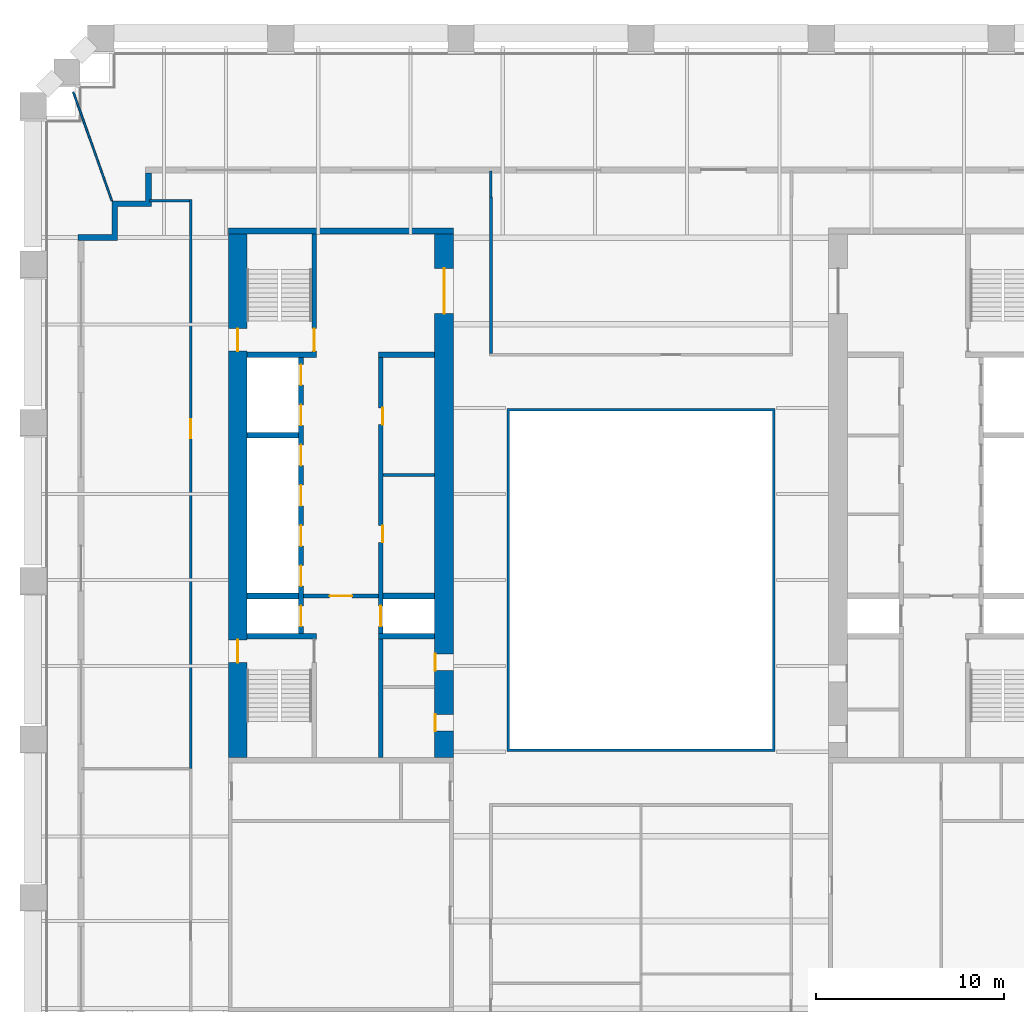
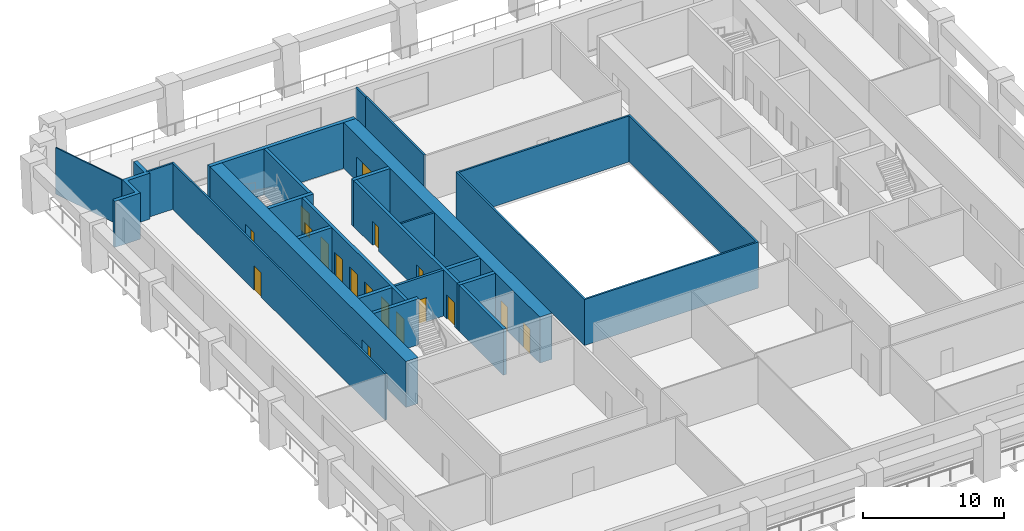
# One storey, part 5 of 8: 22 walls, 18 doors, 18 openings.
"""IFC4 building model written with IfcOpenShell, lengths in metres."""

from ifc_helpers import new_model, si_unit, direction, frame, frame_2d, origin, place, context, subcontext, project, spatial, polyline, rectangle, outline, extrude, material, layer, layer_set, type_object, element, fill, save


model = new_model("IFC4")

# Units and contexts
model_context = context("Model", 3, precision=1e-05, world=origin(), true_north=direction((0.0, 1.0)))
body_context = subcontext(model_context, "Body", "Model", "MODEL_VIEW")
ifc_project = project(units=[si_unit("LENGTHUNIT", "METRE"), si_unit("AREAUNIT", "SQUARE_METRE"), si_unit("VOLUMEUNIT", "CUBIC_METRE"), si_unit("PLANEANGLEUNIT", "RADIAN"), si_unit("MASSUNIT", "GRAM", prefix="KILO")], contexts=[model_context])

# Site, building, storey
site_placement = place(None, origin())
site = spatial("IfcSite", under=ifc_project, at=site_placement, CompositionType="ELEMENT")
building_placement = place(site_placement, origin())
building = spatial("IfcBuilding", under=site, at=building_placement, Name="Ogive Exchange Tower", CompositionType="ELEMENT")
storey_placement = place(building_placement, frame((0.0, 0.0, 81.60009765625)))
storey = spatial("IfcBuildingStorey", under=building, at=storey_placement, Name="L17", CompositionType="ELEMENT", Elevation=81.60009765625)

# Walls
ifc_material_1 = material(Name="Gypsum board partition")
ifc_layer_1 = layer(ifc_material_1, 0.14990234375)
ifc_layer_set_1 = layer_set([ifc_layer_1], Name="Core room partition 150 gypsum")
wall_type_1 = type_object("IfcWallType", Name="Core room partition 150 gypsum", PredefinedType="PARTITIONING", material=ifc_layer_set_1)
wall_1_placement = place(storey_placement, frame((-13.75, 12.60009765625, 0.0), z_axis=(0.0, 0.0, 1.0), x_axis=(1.0, 0.0, 0.0)))
element("IfcWall", 1, at=wall_1_placement, inside=storey, type_object=wall_type_1, Name="W row B bay partition 1-1", PredefinedType="PARTITIONING", context=body_context, shape_type="SweptSolid", body=[
    extrude(rectangle(XDim=2.75, YDim=0.14990234375, at=frame_2d((1.375, 0.0))), origin(), (0.0, 0.0, 1.0), 4.0),
])
ifc_layer_2 = layer(ifc_material_1, 0.300048828125)
ifc_layer_set_2 = layer_set([ifc_layer_2], Name="Core room partition 300 gypsum")
wall_type_2 = type_object("IfcWallType", Name="Core room partition 300 gypsum", PredefinedType="PARTITIONING", material=ifc_layer_set_2)
wall_2_placement = place(storey_placement, frame((-14.0, 19.0, 0.0), z_axis=(0.0, 0.0, 1.0), x_axis=(1.0, 0.0, 0.0)))
element("IfcWall", 2, at=wall_2_placement, inside=storey, type_object=wall_type_2, Name="W row B room end wall 7", PredefinedType="PARTITIONING", context=body_context, shape_type="SweptSolid", body=[
    extrude(rectangle(XDim=3.0, YDim=0.300048828125, at=frame_2d((1.5, 0.0))), origin(), (0.0, 0.0, 1.0), 4.0),
])

# Wall, opening, door
ifc_material_2 = material(Name="Fire partition EI 60 150")
ifc_layer_3 = layer(ifc_material_2, 0.14990234375)
ifc_layer_set_3 = layer_set([ifc_layer_3], Name="Fire partition EI 60 150")
wall_type_3 = type_object("IfcWallType", Name="Fire partition EI 60 150", PredefinedType="PARTITIONING", material=ifc_layer_set_3)
wall_3_placement = place(storey_placement, frame((-24.0, -3.06005859375, 0.0), z_axis=(0.0, 0.0, 1.0), x_axis=(0.0, 1.0, 0.0)))
wall_3 = element("IfcWall", 3, at=wall_3_placement, inside=storey, type_object=wall_type_3, Name="L17-PWL-005", PredefinedType="PARTITIONING", context=body_context, shape_type="SweptSolid", body=[
    extrude(rectangle(XDim=30.344970703125, YDim=0.14990234375, at=frame_2d((15.17236328125, 0.0))), origin(), (0.0, 0.0, 1.0), 4.0),
])
opening_1_placement = place(wall_3_placement, frame((17.6201171875, 0.0, 0.0)))
opening_1 = element("IfcOpeningElement", 4, at=opening_1_placement, cuts=wall_3, Name="Opening L17-I10", PredefinedType="OPENING", context=body_context, shape_type="SweptSolid", body=[
    extrude(rectangle(XDim=1.0, YDim=2.10009765625, at=frame_2d((0.5, 1.050048828125))), frame((0.0, 0.0849609375, 0.0), z_axis=(0.0, -1.0, 0.0), x_axis=(1.0, 0.0, 0.0)), (0.0, 0.0, 1.0), 0.169921875),
])
ifc_material_3 = material(Name="Fire door FD 30S 1000 x 2100")
door_type_1 = type_object("IfcDoorType", Name="Fire door FD 30S 1000 x 2100", OperationType="NOTDEFINED", PredefinedType="DOOR", material=ifc_material_3)
door_1_placement = place(opening_1_placement, origin())
door_1 = element("IfcDoor", 5, at=door_1_placement, inside=storey, type_object=door_type_1, Name="L17-IDR-010", ObjectType="DT3", OperationType="SINGLE_SWING_LEFT", OverallHeight=2.10009765625, OverallWidth=1.0, PredefinedType="DOOR", context=body_context, shape_type="SweptSolid", body=[
    extrude(rectangle(XDim=1.0, YDim=2.10009765625, at=frame_2d((0.5, 1.050048828125))), frame((0.0, 0.02490234375, 0.0), z_axis=(0.0, -1.0, 0.0), x_axis=(1.0, 0.0, 0.0)), (0.0, 0.0, 1.0), 0.050048828125),
])
fill(opening_1, door_1)

# Walls
wall_4_placement = place(storey_placement, frame((-24.074951171875, 27.2099609375, 0.0), z_axis=(0.0, 0.0, 1.0), x_axis=(-1.0, 0.0, 0.0)))
element("IfcWall", 6, at=wall_4_placement, inside=storey, type_object=wall_type_3, Name="L17-PWL-006", PredefinedType="PARTITIONING", context=body_context, shape_type="SweptSolid", body=[
    extrude(rectangle(XDim=2.125, YDim=0.14990234375, at=frame_2d((1.0625, 0.0))), origin(), (0.0, 0.0, 1.0), 4.0),
])
wall_5_placement = place(storey_placement, frame((-8.010009765625, 28.800048828125, 0.0), z_axis=(0.0, 0.0, 1.0), x_axis=(0.0, -1.0, 0.0)))
element("IfcWall", 7, at=wall_5_placement, inside=storey, type_object=wall_type_3, Name="L17-PWL-009", PredefinedType="PARTITIONING", context=body_context, shape_type="SweptSolid", body=[
    extrude(rectangle(XDim=1.400146484375, YDim=0.14990234375, at=frame_2d((0.7001953125, 0.0))), origin(), (0.0, 0.0, 1.0), 4.0),
])
wall_6_placement = place(storey_placement, frame((-8.0, 27.39990234375, 0.0), z_axis=(0.0, 0.0, 1.0), x_axis=(0.0, -1.0, 0.0)))
element("IfcWall", 8, at=wall_6_placement, inside=storey, type_object=wall_type_3, Name="L17-PWL-014", PredefinedType="PARTITIONING", context=body_context, shape_type="SweptSolid", body=[
    extrude(rectangle(XDim=8.324951171875, YDim=0.14990234375, at=frame_2d((4.16259765625, 0.0))), origin(), (0.0, 0.0, 1.0), 4.0),
])
ifc_material_4 = material(Name="Fire-resisting glass in steel frame", Category="steel")
ifc_layer_4 = layer(ifc_material_4, 0.14990234375)
ifc_layer_set_4 = layer_set([ifc_layer_4], Name="Fire-rated glazed wall 150")
wall_type_4 = type_object("IfcWallType", Name="Fire-rated glazed wall 150", PredefinedType="STANDARD", material=ifc_layer_set_4)
wall_7_placement = place(storey_placement, origin())
element("IfcWall", 9, at=wall_7_placement, inside=storey, type_object=wall_type_4, Name="Nave enclosure wall", PredefinedType="STANDARD", context=body_context, shape_type="SweptSolid", body=[
    extrude(outline(polyline([(-7.14990234375, -2.14990234375), (7.14990234375, -2.14990234375), (7.14990234375, 16.14990234375), (-7.14990234375, 16.14990234375), (-7.14990234375, -2.14990234375)]), holes=[polyline([(-7.0, -2.0), (-7.0, 16.0), (7.0, 16.0), (7.0, -2.0), (-7.0, -2.0)])]), origin(), (0.0, 0.0, 1.0), 4.0),
])
ifc_material_5 = material(Name="Precast concrete C40/50", Category="concrete")
ifc_layer_5 = layer(ifc_material_5, 0.300048828125)
ifc_layer_set_5 = layer_set([ifc_layer_5], Name="Limestone-faced wall 300")
wall_type_5 = type_object("IfcWallType", Name="Limestone-faced wall 300", PredefinedType="STANDARD", material=ifc_layer_set_5)
wall_8_placement = place(storey_placement, origin())
element("IfcWall", 10, at=wall_8_placement, inside=storey, type_object=wall_type_5, Name="External corner wall C3", PredefinedType="STANDARD", context=body_context, shape_type="SweptSolid", body=[
    extrude(outline(polyline([(-28.199951171875, 25.39990234375), (-28.199951171875, 27.199951171875), (-26.39990234375, 27.199951171875), (-26.39990234375, 28.699951171875), (-26.10009765625, 28.699951171875), (-26.10009765625, 26.89990234375), (-27.89990234375, 26.89990234375), (-27.89990234375, 25.10009765625), (-30.0, 25.10009765625), (-30.0, 25.39990234375), (-28.199951171875, 25.39990234375)])), origin(), (0.0, 0.0, 1.0), 4.0),
])
ifc_material_6 = material(Name="Laminated safety glass in steel frame", Category="steel")
ifc_layer_6 = layer(ifc_material_6, 0.10009765625)
ifc_layer_set_6 = layer_set([ifc_layer_6], Name="Loggia end screen 100")
wall_type_6 = type_object("IfcWallType", Name="Loggia end screen 100", PredefinedType="STANDARD", material=ifc_layer_set_6)
wall_9_placement = place(storey_placement, frame((-28.199951171875, 27.199951171875, -0.050048828125), z_axis=(0.0, 0.0, 1.0), x_axis=(-0.334412113697, 0.942426940517, 0.0)))
element("IfcWall", 11, at=wall_9_placement, inside=storey, type_object=wall_type_6, Name="Loggia end screen C3", PredefinedType="STANDARD", context=body_context, shape_type="SweptSolid", body=[
    extrude(rectangle(XDim=6.166748046875, YDim=0.10009765625, at=frame_2d((3.08349609375, 0.0))), origin(), (0.0, 0.0, 1.0), 4.050048828125),
])

# Wall, openings, doors
ifc_material_7 = material(Name="Concrete C70/85", Category="concrete")
ifc_layer_7 = layer(ifc_material_7, 1.0)
ifc_layer_set_7 = layer_set([ifc_layer_7], Name="RC core wall 1000 C70/85")
wall_type_7 = type_object("IfcWallType", Name="RC core wall 1000 C70/85", PredefinedType="SHEAR", material=ifc_layer_set_7)
wall_10_placement = place(storey_placement, frame((-21.5, -2.449951171875, 0.0), z_axis=(0.0, 0.0, 1.0), x_axis=(0.0, 1.0, 0.0)))
wall_10 = element("IfcWall", 12, at=wall_10_placement, inside=storey, type_object=wall_type_7, Name="W outer wall", PredefinedType="SHEAR", context=body_context, shape_type="SweptSolid", body=[
    extrude(rectangle(XDim=27.89990234375, YDim=1.0, at=frame_2d((13.949951171875, 0.0))), origin(), (0.0, 0.0, 1.0), 4.0),
])
opening_2_placement = place(wall_10_placement, frame((5.050048828125, 0.0, 0.0)))
opening_2 = element("IfcOpeningElement", 13, at=opening_2_placement, cuts=wall_10, Name="Opening L17-C14", PredefinedType="OPENING", context=body_context, shape_type="SweptSolid", body=[
    extrude(rectangle(XDim=1.199951171875, YDim=2.10009765625, at=frame_2d((0.60009765625, 1.050048828125))), frame((0.0, 0.510009765625, 0.0), z_axis=(0.0, -1.0, 0.0), x_axis=(1.0, 0.0, 0.0)), (0.0, 0.0, 1.0), 1.02001953125),
])
opening_3_placement = place(wall_10_placement, frame((21.64990234375, 0.0, 0.0)))
opening_3 = element("IfcOpeningElement", 14, at=opening_3_placement, cuts=wall_10, Name="Opening L17-C16", PredefinedType="OPENING", context=body_context, shape_type="SweptSolid", body=[
    extrude(rectangle(XDim=1.199951171875, YDim=2.10009765625, at=frame_2d((0.60009765625, 1.050048828125))), frame((0.0, 0.510009765625, 0.0), z_axis=(0.0, -1.0, 0.0), x_axis=(1.0, 0.0, 0.0)), (0.0, 0.0, 1.0), 1.02001953125),
])
ifc_material_8 = material(Name="Steel fire door", Category="steel")
door_type_2 = type_object("IfcDoorType", Name="Stair door FD90 1200 x 2100", OperationType="NOTDEFINED", PredefinedType="DOOR", material=ifc_material_8)
door_2_placement = place(opening_2_placement, frame((1.199951171875, 0.0, 0.0), z_axis=(0.0, 0.0, 1.0), x_axis=(-1.0, 0.0, 0.0)))
door_2 = element("IfcDoor", 15, at=door_2_placement, inside=storey, type_object=door_type_2, Name="Stair door", ObjectType="CD5", OperationType="SINGLE_SWING_RIGHT", OverallHeight=2.10009765625, OverallWidth=1.199951171875, PredefinedType="DOOR", context=body_context, shape_type="SweptSolid", body=[
    extrude(rectangle(XDim=1.199951171875, YDim=2.10009765625, at=frame_2d((0.60009765625, 1.050048828125))), frame((0.0, 0.02490234375, 0.0), z_axis=(0.0, -1.0, 0.0), x_axis=(1.0, 0.0, 0.0)), (0.0, 0.0, 1.0), 0.050048828125),
])
fill(opening_2, door_2)
door_3_placement = place(opening_3_placement, frame((1.199951171875, 0.0, 0.0), z_axis=(0.0, 0.0, 1.0), x_axis=(-1.0, 0.0, 0.0)))
door_3 = element("IfcDoor", 16, at=door_3_placement, inside=storey, type_object=door_type_2, Name="Stair door", ObjectType="CD5", OperationType="SINGLE_SWING_LEFT", OverallHeight=2.10009765625, OverallWidth=1.199951171875, PredefinedType="DOOR", context=body_context, shape_type="SweptSolid", body=[
    extrude(rectangle(XDim=1.199951171875, YDim=2.10009765625, at=frame_2d((0.60009765625, 1.050048828125))), frame((0.0, 0.02490234375, 0.0), z_axis=(0.0, -1.0, 0.0), x_axis=(1.0, 0.0, 0.0)), (0.0, 0.0, 1.0), 0.050048828125),
])
fill(opening_3, door_3)

wall_11_placement = place(storey_placement, frame((-10.5, -2.449951171875, 0.0), z_axis=(0.0, 0.0, 1.0), x_axis=(0.0, 1.0, 0.0)))
wall_11 = element("IfcWall", 17, at=wall_11_placement, inside=storey, type_object=wall_type_7, Name="W inner wall", PredefinedType="SHEAR", context=body_context, shape_type="SweptSolid", body=[
    extrude(rectangle(XDim=27.89990234375, YDim=1.0, at=frame_2d((13.949951171875, 0.0))), origin(), (0.0, 0.0, 1.0), 4.0),
])
opening_4_placement = place(wall_11_placement, frame((23.64990234375, 0.0, 0.0)))
opening_4 = element("IfcOpeningElement", 18, at=opening_4_placement, cuts=wall_11, Name="Opening L17-C12", PredefinedType="OPENING", context=body_context, shape_type="SweptSolid", body=[
    extrude(rectangle(XDim=2.39990234375, YDim=2.10009765625, at=frame_2d((1.199951171875, 1.050048828125))), frame((0.0, 0.510009765625, 0.0), z_axis=(0.0, -1.0, 0.0), x_axis=(1.0, 0.0, 0.0)), (0.0, 0.0, 1.0), 1.02001953125),
])
opening_5_placement = place(wall_11_placement, frame((1.387451171875, 0.0, 0.0)))
opening_5 = element("IfcOpeningElement", 19, at=opening_5_placement, cuts=wall_11, Name="Opening L17-C17", PredefinedType="OPENING", context=body_context, shape_type="SweptSolid", body=[
    extrude(rectangle(XDim=0.89990234375, YDim=2.10009765625, at=frame_2d((0.449951171875, 1.050048828125))), frame((0.0, 0.510009765625, 0.0), z_axis=(0.0, -1.0, 0.0), x_axis=(1.0, 0.0, 0.0)), (0.0, 0.0, 1.0), 1.02001953125),
])
opening_6_placement = place(wall_11_placement, frame((4.612548828125, 0.0, 0.0)))
opening_6 = element("IfcOpeningElement", 20, at=opening_6_placement, cuts=wall_11, Name="Opening L17-C18", PredefinedType="OPENING", context=body_context, shape_type="SweptSolid", body=[
    extrude(rectangle(XDim=0.89990234375, YDim=2.10009765625, at=frame_2d((0.449951171875, 1.050048828125))), frame((0.0, 0.510009765625, 0.0), z_axis=(0.0, -1.0, 0.0), x_axis=(1.0, 0.0, 0.0)), (0.0, 0.0, 1.0), 1.02001953125),
])
ifc_material_9 = material(Name="Timber fire door", Category="wood")
door_type_3 = type_object("IfcDoorType", Name="Core room door FD30S 900 x 2100", OperationType="NOTDEFINED", PredefinedType="DOOR", material=ifc_material_9)
door_4_placement = place(opening_5_placement, origin())
door_4 = element("IfcDoor", 21, at=door_4_placement, inside=storey, type_object=door_type_3, Name="Core room door", ObjectType="CD6", OperationType="SINGLE_SWING_RIGHT", OverallHeight=2.10009765625, OverallWidth=0.89990234375, PredefinedType="DOOR", context=body_context, shape_type="SweptSolid", body=[
    extrude(rectangle(XDim=0.89990234375, YDim=2.10009765625, at=frame_2d((0.449951171875, 1.050048828125))), frame((0.0, 0.5, 0.0), z_axis=(0.0, -1.0, 0.0), x_axis=(1.0, 0.0, 0.0)), (0.0, 0.0, 1.0), 0.050048828125),
])
fill(opening_5, door_4)
ifc_material_10 = material(Name="Glazed steel fire door", Category="steel")
door_type_4 = type_object("IfcDoorType", Name="Lift lobby double door FD60 2400 x 2100", OperationType="DOUBLE_DOOR_SINGLE_SWING", PredefinedType="DOOR", material=ifc_material_10)
door_5_placement = place(opening_4_placement, origin())
door_5 = element("IfcDoor", 22, at=door_5_placement, inside=storey, type_object=door_type_4, Name="Lift lobby double door", ObjectType="CD4", OperationType="DOUBLE_DOOR_SINGLE_SWING", OverallHeight=2.10009765625, OverallWidth=2.39990234375, PredefinedType="DOOR", context=body_context, shape_type="SweptSolid", body=[
    extrude(rectangle(XDim=2.39990234375, YDim=2.10009765625, at=frame_2d((1.199951171875, 1.050048828125))), frame((0.0, 0.02490234375, 0.0), z_axis=(0.0, -1.0, 0.0), x_axis=(1.0, 0.0, 0.0)), (0.0, 0.0, 1.0), 0.050048828125),
])
fill(opening_4, door_5)
door_type_5 = type_object("IfcDoorType", Name="Riser door FD60 900 x 2100", OperationType="NOTDEFINED", PredefinedType="DOOR", material=ifc_material_8)
door_6_placement = place(opening_6_placement, origin())
door_6 = element("IfcDoor", 23, at=door_6_placement, inside=storey, type_object=door_type_5, Name="Riser door", ObjectType="CD2", OperationType="SINGLE_SWING_LEFT", OverallHeight=2.10009765625, OverallWidth=0.89990234375, PredefinedType="DOOR", context=body_context, shape_type="SweptSolid", body=[
    extrude(rectangle(XDim=0.89990234375, YDim=2.10009765625, at=frame_2d((0.449951171875, 1.050048828125))), frame((0.0, 0.5, 0.0), z_axis=(0.0, -1.0, 0.0), x_axis=(1.0, 0.0, 0.0)), (0.0, 0.0, 1.0), 0.050048828125),
])
fill(opening_6, door_6)

# Wall, opening, door
ifc_layer_8 = layer(ifc_material_7, 0.199951171875)
ifc_layer_set_8 = layer_set([ifc_layer_8], Name="RC core wall 200 C70/85")
wall_type_8 = type_object("IfcWallType", Name="RC core wall 200 C70/85", PredefinedType="SHEAR", material=ifc_layer_set_8)
wall_12_placement = place(storey_placement, frame((-18.0, 6.142822265625, 0.0), z_axis=(0.0, 0.0, 1.0), x_axis=(1.0, 0.0, 0.0)))
wall_12 = element("IfcWall", 24, at=wall_12_placement, inside=storey, type_object=wall_type_8, Name="W firefighting lobby wall", PredefinedType="SHEAR", context=body_context, shape_type="SweptSolid", body=[
    extrude(rectangle(XDim=4.0, YDim=0.199951171875, at=frame_2d((2.0, 0.0))), origin(), (0.0, 0.0, 1.0), 4.0),
])
opening_7_placement = place(wall_12_placement, frame((1.39990234375, 0.0, 0.0)))
opening_7 = element("IfcOpeningElement", 25, at=opening_7_placement, cuts=wall_12, Name="Opening L17-C11", PredefinedType="OPENING", context=body_context, shape_type="SweptSolid", body=[
    extrude(rectangle(XDim=1.199951171875, YDim=2.10009765625, at=frame_2d((0.60009765625, 1.050048828125))), frame((0.0, 0.10986328125, 0.0), z_axis=(0.0, -1.0, 0.0), x_axis=(1.0, 0.0, 0.0)), (0.0, 0.0, 1.0), 0.219970703125),
])
door_type_6 = type_object("IfcDoorType", Name="Firefighting lobby door FD60 1200 x 2100", OperationType="NOTDEFINED", PredefinedType="DOOR", material=ifc_material_8)
door_7_placement = place(opening_7_placement, frame((1.199951171875, 0.0, 0.0), z_axis=(0.0, 0.0, 1.0), x_axis=(-1.0, 0.0, 0.0)))
door_7 = element("IfcDoor", 26, at=door_7_placement, inside=storey, type_object=door_type_6, Name="Firefighting lobby door", ObjectType="CD3", OperationType="SINGLE_SWING_RIGHT", OverallHeight=2.10009765625, OverallWidth=1.199951171875, PredefinedType="DOOR", context=body_context, shape_type="SweptSolid", body=[
    extrude(rectangle(XDim=1.199951171875, YDim=2.10009765625, at=frame_2d((0.60009765625, 1.050048828125))), frame((0.0, 0.02490234375, 0.0), z_axis=(0.0, -1.0, 0.0), x_axis=(1.0, 0.0, 0.0)), (0.0, 0.0, 1.0), 0.050048828125),
])
fill(opening_7, door_7)

ifc_layer_9 = layer(ifc_material_7, 0.25)
ifc_layer_set_9 = layer_set([ifc_layer_9], Name="RC core wall 250 C70/85")
wall_type_9 = type_object("IfcWallType", Name="RC core wall 250 C70/85", PredefinedType="SHEAR", material=ifc_layer_set_9)
wall_13_placement = place(storey_placement, frame((-17.425048828125, 19.14990234375, 0.0), z_axis=(0.0, 0.0, 1.0), x_axis=(0.0, 1.0, 0.0)))
wall_13 = element("IfcWall", 27, at=wall_13_placement, inside=storey, type_object=wall_type_9, Name="W stair N front wall", PredefinedType="SHEAR", context=body_context, shape_type="SweptSolid", body=[
    extrude(rectangle(XDim=6.300048828125, YDim=0.25, at=frame_2d((3.14990234375, 0.0))), origin(), (0.0, 0.0, 1.0), 4.0),
])
opening_8_placement = place(wall_13_placement, frame((0.050048828125, 0.0, 0.0)))
opening_8 = element("IfcOpeningElement", 28, at=opening_8_placement, cuts=wall_13, Name="Opening L17-C15", PredefinedType="OPENING", context=body_context, shape_type="SweptSolid", body=[
    extrude(rectangle(XDim=1.199951171875, YDim=2.10009765625, at=frame_2d((0.60009765625, 1.050048828125))), frame((0.0, 0.135009765625, 0.0), z_axis=(0.0, -1.0, 0.0), x_axis=(1.0, 0.0, 0.0)), (0.0, 0.0, 1.0), 0.27001953125),
])
door_8_placement = place(opening_8_placement, origin())
door_8 = element("IfcDoor", 29, at=door_8_placement, inside=storey, type_object=door_type_2, Name="Stair door", ObjectType="CD5", OperationType="SINGLE_SWING_RIGHT", OverallHeight=2.10009765625, OverallWidth=1.199951171875, PredefinedType="DOOR", context=body_context, shape_type="SweptSolid", body=[
    extrude(rectangle(XDim=1.199951171875, YDim=2.10009765625, at=frame_2d((0.60009765625, 1.050048828125))), frame((0.0, 0.02490234375, 0.0), z_axis=(0.0, -1.0, 0.0), x_axis=(1.0, 0.0, 0.0)), (0.0, 0.0, 1.0), 0.050048828125),
])
fill(opening_8, door_8)

# Wall, openings, doors
wall_14_placement = place(storey_placement, frame((-18.125, 4.14990234375, 0.0), z_axis=(0.0, 0.0, 1.0), x_axis=(0.0, 1.0, 0.0)))
wall_14 = element("IfcWall", 30, at=wall_14_placement, inside=storey, type_object=wall_type_9, Name="W row A front wall", PredefinedType="SHEAR", context=body_context, shape_type="SweptSolid", body=[
    extrude(rectangle(XDim=14.7001953125, YDim=0.25, at=frame_2d((7.35009765625, 0.0))), origin(), (0.0, 0.0, 1.0), 4.0),
])
opening_9_placement = place(wall_14_placement, frame((0.371337890625, 0.0, 0.0)))
opening_9 = element("IfcOpeningElement", 31, at=opening_9_placement, cuts=wall_14, Name="Opening L17-C01", PredefinedType="OPENING", context=body_context, shape_type="SweptSolid", body=[
    extrude(rectangle(XDim=1.10009765625, YDim=2.10009765625, at=frame_2d((0.550048828125, 1.050048828125))), frame((0.0, 0.135009765625, 0.0), z_axis=(0.0, -1.0, 0.0), x_axis=(1.0, 0.0, 0.0)), (0.0, 0.0, 1.0), 0.27001953125),
])
opening_10_placement = place(wall_14_placement, frame((2.514404296875, 0.0, 0.0)))
opening_10 = element("IfcOpeningElement", 32, at=opening_10_placement, cuts=wall_14, Name="Opening L17-C02", PredefinedType="OPENING", context=body_context, shape_type="SweptSolid", body=[
    extrude(rectangle(XDim=1.10009765625, YDim=2.10009765625, at=frame_2d((0.550048828125, 1.050048828125))), frame((0.0, 0.135009765625, 0.0), z_axis=(0.0, -1.0, 0.0), x_axis=(1.0, 0.0, 0.0)), (0.0, 0.0, 1.0), 0.27001953125),
])
opening_11_placement = place(wall_14_placement, frame((4.656982421875, 0.0, 0.0)))
opening_11 = element("IfcOpeningElement", 33, at=opening_11_placement, cuts=wall_14, Name="Opening L17-C03", PredefinedType="OPENING", context=body_context, shape_type="SweptSolid", body=[
    extrude(rectangle(XDim=1.10009765625, YDim=2.10009765625, at=frame_2d((0.550048828125, 1.050048828125))), frame((0.0, 0.135009765625, 0.0), z_axis=(0.0, -1.0, 0.0), x_axis=(1.0, 0.0, 0.0)), (0.0, 0.0, 1.0), 0.27001953125),
])
opening_12_placement = place(wall_14_placement, frame((6.800048828125, 0.0, 0.0)))
opening_12 = element("IfcOpeningElement", 34, at=opening_12_placement, cuts=wall_14, Name="Opening L17-C04", PredefinedType="OPENING", context=body_context, shape_type="SweptSolid", body=[
    extrude(rectangle(XDim=1.10009765625, YDim=2.10009765625, at=frame_2d((0.550048828125, 1.050048828125))), frame((0.0, 0.135009765625, 0.0), z_axis=(0.0, -1.0, 0.0), x_axis=(1.0, 0.0, 0.0)), (0.0, 0.0, 1.0), 0.27001953125),
])
opening_13_placement = place(wall_14_placement, frame((8.94287109375, 0.0, 0.0)))
opening_13 = element("IfcOpeningElement", 35, at=opening_13_placement, cuts=wall_14, Name="Opening L17-C05", PredefinedType="OPENING", context=body_context, shape_type="SweptSolid", body=[
    extrude(rectangle(XDim=1.10009765625, YDim=2.10009765625, at=frame_2d((0.550048828125, 1.050048828125))), frame((0.0, 0.135009765625, 0.0), z_axis=(0.0, -1.0, 0.0), x_axis=(1.0, 0.0, 0.0)), (0.0, 0.0, 1.0), 0.27001953125),
])
opening_14_placement = place(wall_14_placement, frame((11.085693359375, 0.0, 0.0)))
opening_14 = element("IfcOpeningElement", 36, at=opening_14_placement, cuts=wall_14, Name="Opening L17-C06", PredefinedType="OPENING", context=body_context, shape_type="SweptSolid", body=[
    extrude(rectangle(XDim=1.10009765625, YDim=2.10009765625, at=frame_2d((0.550048828125, 1.050048828125))), frame((0.0, 0.135009765625, 0.0), z_axis=(0.0, -1.0, 0.0), x_axis=(1.0, 0.0, 0.0)), (0.0, 0.0, 1.0), 0.27001953125),
])
opening_15_placement = place(wall_14_placement, frame((13.228515625, 0.0, 0.0)))
opening_15 = element("IfcOpeningElement", 37, at=opening_15_placement, cuts=wall_14, Name="Opening L17-C07", PredefinedType="OPENING", context=body_context, shape_type="SweptSolid", body=[
    extrude(rectangle(XDim=1.10009765625, YDim=2.10009765625, at=frame_2d((0.550048828125, 1.050048828125))), frame((0.0, 0.135009765625, 0.0), z_axis=(0.0, -1.0, 0.0), x_axis=(1.0, 0.0, 0.0)), (0.0, 0.0, 1.0), 0.27001953125),
])
ifc_material_11 = material(Name="Stainless steel", Category="steel")
door_type_7 = type_object("IfcDoorType", Name="Lift landing door FD90 1100 x 2100", OperationType="SLIDING_TO_LEFT", PredefinedType="DOOR", material=ifc_material_11)
door_9_placement = place(opening_9_placement, origin())
door_9 = element("IfcDoor", 38, at=door_9_placement, inside=storey, type_object=door_type_7, Name="Lift landing door FF1", ObjectType="LD", OperationType="SLIDING_TO_LEFT", OverallHeight=2.10009765625, OverallWidth=1.10009765625, PredefinedType="DOOR", context=body_context, shape_type="SweptSolid", body=[
    extrude(rectangle(XDim=1.10009765625, YDim=2.10009765625, at=frame_2d((0.550048828125, 1.050048828125))), frame((0.0, 0.02490234375, 0.0), z_axis=(0.0, -1.0, 0.0), x_axis=(1.0, 0.0, 0.0)), (0.0, 0.0, 1.0), 0.050048828125),
])
fill(opening_9, door_9)
door_10_placement = place(opening_10_placement, origin())
door_10 = element("IfcDoor", 39, at=door_10_placement, inside=storey, type_object=door_type_7, Name="Lift landing door W-L1", ObjectType="LD", OperationType="SLIDING_TO_LEFT", OverallHeight=2.10009765625, OverallWidth=1.10009765625, PredefinedType="DOOR", context=body_context, shape_type="SweptSolid", body=[
    extrude(rectangle(XDim=1.10009765625, YDim=2.10009765625, at=frame_2d((0.550048828125, 1.050048828125))), frame((0.0, 0.02490234375, 0.0), z_axis=(0.0, -1.0, 0.0), x_axis=(1.0, 0.0, 0.0)), (0.0, 0.0, 1.0), 0.050048828125),
])
fill(opening_10, door_10)
door_11_placement = place(opening_11_placement, origin())
door_11 = element("IfcDoor", 40, at=door_11_placement, inside=storey, type_object=door_type_7, Name="Lift landing door W-L2", ObjectType="LD", OperationType="SLIDING_TO_LEFT", OverallHeight=2.10009765625, OverallWidth=1.10009765625, PredefinedType="DOOR", context=body_context, shape_type="SweptSolid", body=[
    extrude(rectangle(XDim=1.10009765625, YDim=2.10009765625, at=frame_2d((0.550048828125, 1.050048828125))), frame((0.0, 0.02490234375, 0.0), z_axis=(0.0, -1.0, 0.0), x_axis=(1.0, 0.0, 0.0)), (0.0, 0.0, 1.0), 0.050048828125),
])
fill(opening_11, door_11)
door_12_placement = place(opening_12_placement, origin())
door_12 = element("IfcDoor", 41, at=door_12_placement, inside=storey, type_object=door_type_7, Name="Lift landing door W-L3", ObjectType="LD", OperationType="SLIDING_TO_LEFT", OverallHeight=2.10009765625, OverallWidth=1.10009765625, PredefinedType="DOOR", context=body_context, shape_type="SweptSolid", body=[
    extrude(rectangle(XDim=1.10009765625, YDim=2.10009765625, at=frame_2d((0.550048828125, 1.050048828125))), frame((0.0, 0.02490234375, 0.0), z_axis=(0.0, -1.0, 0.0), x_axis=(1.0, 0.0, 0.0)), (0.0, 0.0, 1.0), 0.050048828125),
])
fill(opening_12, door_12)
door_13_placement = place(opening_13_placement, origin())
door_13 = element("IfcDoor", 42, at=door_13_placement, inside=storey, type_object=door_type_7, Name="Lift landing door W-L4", ObjectType="LD", OperationType="SLIDING_TO_LEFT", OverallHeight=2.10009765625, OverallWidth=1.10009765625, PredefinedType="DOOR", context=body_context, shape_type="SweptSolid", body=[
    extrude(rectangle(XDim=1.10009765625, YDim=2.10009765625, at=frame_2d((0.550048828125, 1.050048828125))), frame((0.0, 0.02490234375, 0.0), z_axis=(0.0, -1.0, 0.0), x_axis=(1.0, 0.0, 0.0)), (0.0, 0.0, 1.0), 0.050048828125),
])
fill(opening_13, door_13)
door_14_placement = place(opening_14_placement, origin())
door_14 = element("IfcDoor", 43, at=door_14_placement, inside=storey, type_object=door_type_7, Name="Lift landing door W-SH1", ObjectType="LD", OperationType="SLIDING_TO_LEFT", OverallHeight=2.10009765625, OverallWidth=1.10009765625, PredefinedType="DOOR", context=body_context, shape_type="SweptSolid", body=[
    extrude(rectangle(XDim=1.10009765625, YDim=2.10009765625, at=frame_2d((0.550048828125, 1.050048828125))), frame((0.0, 0.02490234375, 0.0), z_axis=(0.0, -1.0, 0.0), x_axis=(1.0, 0.0, 0.0)), (0.0, 0.0, 1.0), 0.050048828125),
])
fill(opening_14, door_14)
door_15_placement = place(opening_15_placement, origin())
door_15 = element("IfcDoor", 44, at=door_15_placement, inside=storey, type_object=door_type_7, Name="Lift landing door W-SH2", ObjectType="LD", OperationType="SLIDING_TO_LEFT", OverallHeight=2.10009765625, OverallWidth=1.10009765625, PredefinedType="DOOR", context=body_context, shape_type="SweptSolid", body=[
    extrude(rectangle(XDim=1.10009765625, YDim=2.10009765625, at=frame_2d((0.550048828125, 1.050048828125))), frame((0.0, 0.02490234375, 0.0), z_axis=(0.0, -1.0, 0.0), x_axis=(1.0, 0.0, 0.0)), (0.0, 0.0, 1.0), 0.050048828125),
])
fill(opening_15, door_15)

wall_15_placement = place(storey_placement, frame((-13.875, -2.449951171875, 0.0), z_axis=(0.0, 0.0, 1.0), x_axis=(0.0, 1.0, 0.0)))
wall_15 = element("IfcWall", 45, at=wall_15_placement, inside=storey, type_object=wall_type_9, Name="W row B front wall", PredefinedType="SHEAR", context=body_context, shape_type="SweptSolid", body=[
    extrude(rectangle(XDim=21.300048828125, YDim=0.25, at=frame_2d((10.64990234375, 0.0))), origin(), (0.0, 0.0, 1.0), 4.0),
])
opening_16_placement = place(wall_15_placement, frame((11.4462890625, 0.0, 0.0)))
opening_16 = element("IfcOpeningElement", 46, at=opening_16_placement, cuts=wall_15, Name="Opening L17-C08", PredefinedType="OPENING", context=body_context, shape_type="SweptSolid", body=[
    extrude(rectangle(XDim=0.89990234375, YDim=2.10009765625, at=frame_2d((0.449951171875, 1.050048828125))), frame((0.0, 0.135009765625, 0.0), z_axis=(0.0, -1.0, 0.0), x_axis=(1.0, 0.0, 0.0)), (0.0, 0.0, 1.0), 0.27001953125),
])
opening_17_placement = place(wall_15_placement, frame((17.72509765625, 0.0, 0.0)))
opening_17 = element("IfcOpeningElement", 47, at=opening_17_placement, cuts=wall_15, Name="Opening L17-C09", PredefinedType="OPENING", context=body_context, shape_type="SweptSolid", body=[
    extrude(rectangle(XDim=0.89990234375, YDim=2.10009765625, at=frame_2d((0.449951171875, 1.050048828125))), frame((0.0, 0.135009765625, 0.0), z_axis=(0.0, -1.0, 0.0), x_axis=(1.0, 0.0, 0.0)), (0.0, 0.0, 1.0), 0.27001953125),
])
opening_18_placement = place(wall_15_placement, frame((6.971435546875, 0.0, 0.0)))
opening_18 = element("IfcOpeningElement", 48, at=opening_18_placement, cuts=wall_15, Name="Opening L17-C10", PredefinedType="OPENING", context=body_context, shape_type="SweptSolid", body=[
    extrude(rectangle(XDim=1.10009765625, YDim=2.10009765625, at=frame_2d((0.550048828125, 1.050048828125))), frame((0.0, 0.135009765625, 0.0), z_axis=(0.0, -1.0, 0.0), x_axis=(1.0, 0.0, 0.0)), (0.0, 0.0, 1.0), 0.27001953125),
])
door_16_placement = place(opening_18_placement, origin())
door_16 = element("IfcDoor", 49, at=door_16_placement, inside=storey, type_object=door_type_7, Name="Lift landing door SV1", ObjectType="LD", OperationType="SLIDING_TO_LEFT", OverallHeight=2.10009765625, OverallWidth=1.10009765625, PredefinedType="DOOR", context=body_context, shape_type="SweptSolid", body=[
    extrude(rectangle(XDim=1.10009765625, YDim=2.10009765625, at=frame_2d((0.550048828125, 1.050048828125))), frame((0.0, 0.02490234375, 0.0), z_axis=(0.0, -1.0, 0.0), x_axis=(1.0, 0.0, 0.0)), (0.0, 0.0, 1.0), 0.050048828125),
])
fill(opening_18, door_16)
door_17_placement = place(opening_16_placement, frame((0.89990234375, -0.2001953125, 0.0), z_axis=(0.0, 0.0, 1.0), x_axis=(-1.0, 0.0, 0.0)))
door_17 = element("IfcDoor", 50, at=door_17_placement, inside=storey, type_object=door_type_5, Name="Riser door", ObjectType="CD2", OperationType="SINGLE_SWING_LEFT", OverallHeight=2.10009765625, OverallWidth=0.89990234375, PredefinedType="DOOR", context=body_context, shape_type="SweptSolid", body=[
    extrude(rectangle(XDim=0.89990234375, YDim=2.10009765625, at=frame_2d((0.449951171875, 1.050048828125))), frame((0.0, -0.0751953125, 0.0), z_axis=(0.0, -1.0, 0.0), x_axis=(1.0, 0.0, 0.0)), (0.0, 0.0, 1.0), 0.050048828125),
])
fill(opening_16, door_17)
door_18_placement = place(opening_17_placement, frame((0.89990234375, -0.2001953125, 0.0), z_axis=(0.0, 0.0, 1.0), x_axis=(-1.0, 0.0, 0.0)))
door_18 = element("IfcDoor", 51, at=door_18_placement, inside=storey, type_object=door_type_5, Name="Riser door", ObjectType="CD2", OperationType="SINGLE_SWING_LEFT", OverallHeight=2.10009765625, OverallWidth=0.89990234375, PredefinedType="DOOR", context=body_context, shape_type="SweptSolid", body=[
    extrude(rectangle(XDim=0.89990234375, YDim=2.10009765625, at=frame_2d((0.449951171875, 1.050048828125))), frame((0.0, -0.0751953125, 0.0), z_axis=(0.0, -1.0, 0.0), x_axis=(1.0, 0.0, 0.0)), (0.0, 0.0, 1.0), 0.050048828125),
])
fill(opening_17, door_18)

# Walls
ifc_layer_10 = layer(ifc_material_7, 0.300048828125)
ifc_layer_set_10 = layer_set([ifc_layer_10], Name="RC core wall 300 C70/85")
wall_type_10 = type_object("IfcWallType", Name="RC core wall 300 C70/85", PredefinedType="SHEAR", material=ifc_layer_set_10)
wall_16_placement = place(storey_placement, frame((-22.0, 25.60009765625, 0.0), z_axis=(0.0, 0.0, 1.0), x_axis=(1.0, 0.0, 0.0)))
element("IfcWall", 52, at=wall_16_placement, inside=storey, type_object=wall_type_10, Name="W north end wall", PredefinedType="SHEAR", context=body_context, shape_type="SweptSolid", body=[
    extrude(rectangle(XDim=12.0, YDim=0.300048828125, at=frame_2d((6.0, 0.0))), origin(), (0.0, 0.0, 1.0), 4.0),
])
for number, where, z_axis, x_axis, name in (
    (53, (-21.0, 4.0, 0.0), (0.0, 0.0, 1.0), (1.0, 0.0, 0.0), "W stair S north wall"),
    (54, (-21.0, 19.0, 0.0), (0.0, 0.0, 1.0), (1.0, 0.0, 0.0), "W stair N south wall"),
):
    element("IfcWall", number, at=place(storey_placement, frame(where, z_axis=z_axis, x_axis=x_axis)), inside=storey, type_object=wall_type_10, Name=name, PredefinedType="SHEAR", context=body_context, shape_type="SweptSolid", body=[
        extrude(rectangle(XDim=3.699951171875, YDim=0.300048828125, at=frame_2d((1.85009765625, 0.0))), origin(), (0.0, 0.0, 1.0), 4.0),
    ])
for number, where, z_axis, x_axis, name in (
    (55, (-21.0, 6.142822265625, 0.0), (0.0, 0.0, 1.0), (1.0, 0.0, 0.0), "W row A divider 1"),
    (56, (-21.0, 14.71435546875, 0.0), (0.0, 0.0, 1.0), (1.0, 0.0, 0.0), "W row A divider 5"),
):
    element("IfcWall", number, at=place(storey_placement, frame(where, z_axis=z_axis, x_axis=x_axis)), inside=storey, type_object=wall_type_10, Name=name, PredefinedType="SHEAR", context=body_context, shape_type="SweptSolid", body=[
        extrude(rectangle(XDim=2.75, YDim=0.300048828125, at=frame_2d((1.375, 0.0))), origin(), (0.0, 0.0, 1.0), 4.0),
    ])
wall_17_placement = place(storey_placement, frame((-14.0, 4.0, 0.0), z_axis=(0.0, 0.0, 1.0), x_axis=(1.0, 0.0, 0.0)))
element("IfcWall", 57, at=wall_17_placement, inside=storey, type_object=wall_type_10, Name="W row B divider 0", PredefinedType="SHEAR", context=body_context, shape_type="SweptSolid", body=[
    extrude(rectangle(XDim=3.0, YDim=0.300048828125, at=frame_2d((1.5, 0.0))), origin(), (0.0, 0.0, 1.0), 4.0),
])
wall_18_placement = place(storey_placement, frame((-13.75, 6.142822265625, 0.0), z_axis=(0.0, 0.0, 1.0), x_axis=(1.0, 0.0, 0.0)))
element("IfcWall", 58, at=wall_18_placement, inside=storey, type_object=wall_type_10, Name="W row B divider 1", PredefinedType="SHEAR", context=body_context, shape_type="SweptSolid", body=[
    extrude(rectangle(XDim=2.75, YDim=0.300048828125, at=frame_2d((1.375, 0.0))), origin(), (0.0, 0.0, 1.0), 4.0),
])

save(model, "model.ifc")
